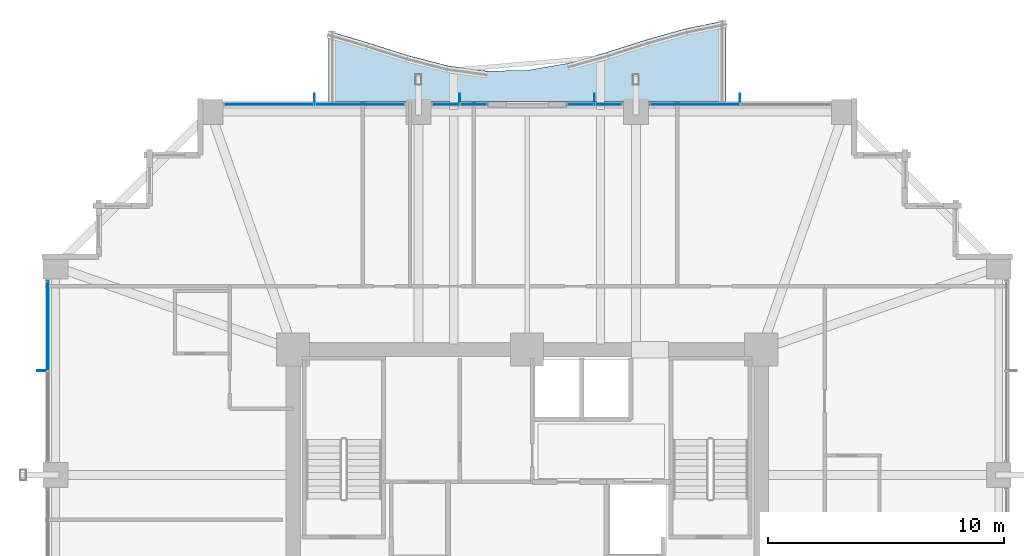
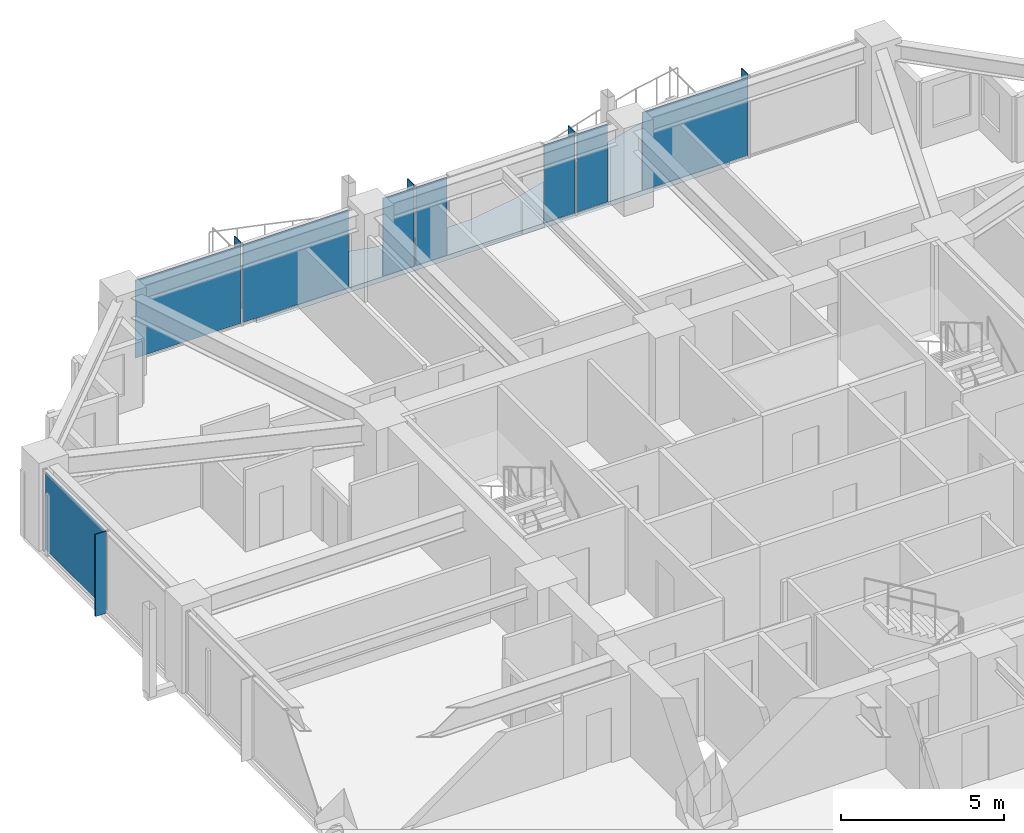
# One storey, part 30 of 38: 13 plates, 1 slab, 5 elements without a shape of their own.
"""IFC4 building model written with IfcOpenShell, lengths in metres."""

import ifcopenshell
import ifcopenshell.guid

model = None  # the IFC model being written
_history = None  # IfcOwnerHistory: only IFC2X3 demands one
_inside = {}  # id of a spatial element -> (the spatial element, [elements in it])
_under = {}  # id of a project, library or spatial element -> (it, [spatial elements below it])
_declared = {}  # id of a project -> (the project, [libraries it declares])
_typed = {}  # id of a type object -> (the type object, [elements of that type])
_made_of = {}  # id of a material, layer set ... -> (it, [elements and type objects made of it])


def new_model(schema):
    """Start an empty IFC model of exactly this schema.

    Asked for "IFC4X3", IfcOpenShell would pick the latest addendum, in which some entities
    have other attributes; the version numbers below select the first issue.
    IFC2X3 requires an IfcOwnerHistory on every rooted entity: one is made here for all.
    """
    global model, _history
    if schema == "IFC4X3":
        model = ifcopenshell.file(schema_version=(4, 3, 0, 0))
    else:
        model = ifcopenshell.file(schema=schema)
    _inside.clear()
    _under.clear()
    _declared.clear()
    _typed.clear()
    _made_of.clear()
    _history = None
    if model.schema == "IFC2X3":
        org = make("IfcOrganization", Name="unknown")
        user = make(
            "IfcPersonAndOrganization",
            ThePerson=make("IfcPerson", FamilyName="unknown"),
            TheOrganization=org,
        )
        app = make(
            "IfcApplication",
            ApplicationDeveloper=org,
            Version="unknown",
            ApplicationFullName="unknown",
            ApplicationIdentifier="unknown",
        )
        _history = make(
            "IfcOwnerHistory",
            OwningUser=user,
            OwningApplication=app,
            ChangeAction="ADDED",
            CreationDate=0,
        )
    return model


def make(cls, **values):
    """One entity of the class cls with the attributes given. An attribute that is None is left unset."""
    return model.create_entity(
        cls, **{name: value for name, value in values.items() if value is not None}
    )


def rooted(cls, **values):
    """An entity with a GlobalId (a new one), such as an element, a storey or a relation."""
    return make(cls, GlobalId=ifcopenshell.guid.new(), OwnerHistory=_history, **values)


def si_unit(unit_type, name, prefix=None):
    """IfcSIUnit, for example si_unit("LENGTHUNIT", "METRE", prefix="MILLI")."""
    return make("IfcSIUnit", UnitType=unit_type, Prefix=prefix, Name=name)


def assignment(units):
    """IfcUnitAssignment: the units of a project."""
    return None if units is None else make("IfcUnitAssignment", Units=units)


def point(xyz):
    """IfcCartesianPoint."""
    return None if xyz is None else make("IfcCartesianPoint", Coordinates=xyz)


def direction(xyz):
    """IfcDirection."""
    return None if xyz is None else make("IfcDirection", DirectionRatios=xyz)


def frame(location, z_axis=None, x_axis=None):
    """IfcAxis2Placement3D, a coordinate frame: its origin and axes. An axis left out is left unset."""
    return make(
        "IfcAxis2Placement3D",
        Location=point(location),
        Axis=direction(z_axis),
        RefDirection=direction(x_axis),
    )


def frame_2d(location, x_axis=None):
    """IfcAxis2Placement2D, a coordinate frame in the plane: its origin and x axis."""
    return make(
        "IfcAxis2Placement2D", Location=point(location), RefDirection=direction(x_axis)
    )


def origin():
    """The frame at (0, 0, 0) with its axes left unset."""
    return frame((0.0, 0.0, 0.0))


def origin_2d():
    """The frame at (0, 0) in the plane with its x axis left unset."""
    return frame_2d((0.0, 0.0))


def place(relative_to, where):
    """IfcLocalPlacement: puts the frame where relative to a parent placement (None: the world)."""
    return make(
        "IfcLocalPlacement", PlacementRelTo=relative_to, RelativePlacement=where
    )


def context(
    kind, dimensions, precision=None, world=None, true_north=None, identifier=None
):
    """IfcGeometricRepresentationContext, for example the 3D "Model" context."""
    return make(
        "IfcGeometricRepresentationContext",
        ContextIdentifier=identifier,
        ContextType=kind,
        CoordinateSpaceDimension=dimensions,
        Precision=precision,
        WorldCoordinateSystem=world,
        TrueNorth=true_north,
    )


def subcontext(parent, identifier, kind, view, scale=None):
    """IfcGeometricRepresentationSubContext, for example "Body" below "Model"."""
    return make(
        "IfcGeometricRepresentationSubContext",
        ContextIdentifier=identifier,
        ContextType=kind,
        ParentContext=parent,
        TargetScale=scale,
        TargetView=view,
    )


def project(units=None, contexts=None):
    """IfcProject with its units and contexts."""
    return rooted(
        "IfcProject",
        Name="project",
        RepresentationContexts=contexts,
        UnitsInContext=assignment(units),
    )


def spatial(cls, under=None, at=None, **own):
    """A site, building, storey or space (cls), placed at a placement, below another one or the project."""
    s = rooted(cls, ObjectPlacement=at, **own)
    if under is not None:
        _under.setdefault(under.id(), (under, []))[1].append(s)
    return s


def polyline(points):
    """IfcPolyline through the points."""
    return make("IfcPolyline", Points=[point(p) for p in points])


def profile(cls, at=None, kind="AREA", **sizes):
    """A parametric profile (cls). Its sizes go by their IFC names, for example OverallWidth=200.0."""
    return make(cls, ProfileType=kind, Position=at, **sizes)


def rectangle(**sizes):
    """IfcRectangleProfileDef."""
    return profile("IfcRectangleProfileDef", **sizes)


def outline(outer, holes=None, kind="AREA"):
    """IfcArbitraryClosedProfileDef: a profile drawn as a closed curve; with holes, ...WithVoids."""
    if holes is None:
        return make("IfcArbitraryClosedProfileDef", ProfileType=kind, OuterCurve=outer)
    return make(
        "IfcArbitraryProfileDefWithVoids",
        ProfileType=kind,
        OuterCurve=outer,
        InnerCurves=holes,
    )


def extrude(swept, where, along, depth):
    """IfcExtrudedAreaSolid: the profile swept, set in the frame where, extruded along a direction by depth."""
    return make(
        "IfcExtrudedAreaSolid",
        SweptArea=swept,
        Position=where,
        ExtrudedDirection=direction(along),
        Depth=depth,
    )


def shape(context_of_items, identifier, shape_type, items):
    """IfcShapeRepresentation: the items that make up one representation, for example the "Body"."""
    return make(
        "IfcShapeRepresentation",
        ContextOfItems=context_of_items,
        RepresentationIdentifier=identifier,
        RepresentationType=shape_type,
        Items=items,
    )


def material(Name=None, Category=None):
    """IfcMaterial."""
    return make("IfcMaterial", Name=Name, Category=Category)


def layer(
    of_material, thickness, ventilated=None, Name=None, Category=None, Priority=None
):
    """IfcMaterialLayer: one layer of a wall or slab, of a material (None: an air gap)."""
    return make(
        "IfcMaterialLayer",
        Material=of_material,
        LayerThickness=thickness,
        IsVentilated=ventilated,
        Name=Name,
        Category=Category,
        Priority=Priority,
    )


def layer_set(layers, Name=None):
    """IfcMaterialLayerSet."""
    return make("IfcMaterialLayerSet", MaterialLayers=layers, LayerSetName=Name)


def made_of(thing, what):
    """Note that an element or type object is made of a material, layer set ...; save() writes the relation."""
    if what is not None:
        _made_of.setdefault(what.id(), (what, []))[1].append(thing)
    return thing


def type_object(cls, material=None, **own):
    """A type object (cls), such as IfcWallType, which elements share."""
    return made_of(rooted(cls, **own), material)


def element(
    cls,
    number,
    at=None,
    inside=None,
    cuts=None,
    type_object=None,
    material=None,
    context=None,
    identifier="Body",
    shape_type=None,
    held_by="IfcProductDefinitionShape",
    body=None,
    shapes=None,
    **own,
):
    """One element of the class cls, such as IfcWall. Its Tag is "e" and its number.

    at: its placement. inside: the storey or other place that contains it. cuts: it is an
    opening in that element (IfcRelVoidsElement). A single representation is given by context,
    identifier, shape_type and body (its items); several are given by shapes. held_by: the class
    of the entity that holds the representations. save() writes the other relations.
    """
    e = rooted(cls, Tag="e%d" % number, ObjectPlacement=at, **own)
    if body is not None:
        shapes = [shape(context, identifier, shape_type, body)]
    if shapes is not None:
        e.Representation = make(held_by, Representations=shapes)
    if inside is not None:
        _inside.setdefault(inside.id(), (inside, []))[1].append(e)
    if cuts is not None:
        rooted(
            "IfcRelVoidsElement", RelatingBuildingElement=cuts, RelatedOpeningElement=e
        )
    if type_object is not None:
        _typed.setdefault(type_object.id(), (type_object, []))[1].append(e)
    return made_of(e, material)


def aggregate(whole, parts):
    """IfcRelAggregates: a whole, such as a stair, and the parts it consists of."""
    return rooted("IfcRelAggregates", RelatingObject=whole, RelatedObjects=parts)


def save(model, path):
    """Write the relations noted so far, then the file.

    IfcRelAggregates (storeys below a building ...), IfcRelContainedInSpatialStructure (elements
    in a storey), IfcRelDefinesByType, IfcRelAssociatesMaterial and IfcRelDeclares: one each for
    every whole, place, type object, material and project.
    """
    for whole, parts in _under.values():
        aggregate(whole, parts)
    for where, things in _inside.values():
        rooted(
            "IfcRelContainedInSpatialStructure",
            RelatedElements=things,
            RelatingStructure=where,
        )
    for kind, things in _typed.values():
        rooted("IfcRelDefinesByType", RelatedObjects=things, RelatingType=kind)
    for what, things in _made_of.values():
        rooted("IfcRelAssociatesMaterial", RelatedObjects=things, RelatingMaterial=what)
    for by, libraries in _declared.values():
        rooted("IfcRelDeclares", RelatingContext=by, RelatedDefinitions=libraries)
    model.write(path)


model = new_model("IFC4")

# Units and contexts
model_context = context("Model", 3, precision=1e-05, world=origin(), true_north=direction((0.0, 1.0)))
body_context = subcontext(model_context, "Body", "Model", "MODEL_VIEW")
ifc_project = project(units=[si_unit("LENGTHUNIT", "METRE"), si_unit("AREAUNIT", "SQUARE_METRE"), si_unit("VOLUMEUNIT", "CUBIC_METRE"), si_unit("PLANEANGLEUNIT", "RADIAN"), si_unit("MASSUNIT", "GRAM", prefix="KILO")], contexts=[model_context])

# Site, building, storey
site_placement = place(None, origin())
site = spatial("IfcSite", under=ifc_project, at=site_placement, CompositionType="ELEMENT")
building_placement = place(site_placement, origin())
building = spatial("IfcBuilding", under=site, at=building_placement, Name="Kolvaren Belvedere", CompositionType="ELEMENT")
storey_placement = place(building_placement, frame((0.0, 0.0, 78.800048828125)))
storey = spatial("IfcBuildingStorey", under=building, at=storey_placement, Name="L22", CompositionType="ELEMENT", Elevation=78.800048828125)

# Curtain wall, plates
ifc_material_1 = material(Name="Anodised pale-metal aluminium AA 6063-T6", Category="aluminium")
curtain_wall_type = type_object("IfcCurtainWallType", Name="CW-Z2-MID", PredefinedType="NOTDEFINED", material=ifc_material_1)
curtain_wall_1_placement = place(storey_placement, origin())
curtain_wall_1 = element("IfcCurtainWall", 1, at=curtain_wall_1_placement, inside=storey, type_object=curtain_wall_type, Name="L22 Unitised Curtain Wall FCW-L22-N1-B1", PredefinedType="NOTDEFINED")
ifc_material_2 = material(Name="Low-iron triple insulated glass", Category="glass")
ifc_layer_1 = layer(ifc_material_2, 0.028076171875)
ifc_layer_set_1 = layer_set([ifc_layer_1], Name="Low-iron triple insulated glass")
plate_type_1 = type_object("IfcPlateType", Name="CW-PNL-VIS28", PredefinedType="CURTAIN_PANEL", material=ifc_layer_set_1)
plate_1_placement = place(storey_placement, frame((-10.9111328125, 20.280029296875, 0.080078125), z_axis=(0.0, 0.0, 1.0), x_axis=(1.0, 0.0, 0.0)))
plate_1 = element("IfcPlate", 2, at=plate_1_placement, type_object=plate_type_1, Name="FCW-L22-N1-B1 Vision Glazing Panel 1", PredefinedType="CURTAIN_PANEL", context=body_context, shape_type="SweptSolid", body=[
    extrude(rectangle(XDim=3.742431640625, YDim=0.028076171875, at=origin_2d()), origin(), (0.0, 0.0, 1.0), 2.919921875),
])
plate_2_placement = place(storey_placement, frame((-7.0888671875, 20.280029296875, 0.080078125), z_axis=(0.0, 0.0, 1.0), x_axis=(1.0, 0.0, 0.0)))
plate_2 = element("IfcPlate", 3, at=plate_2_placement, type_object=plate_type_1, Name="FCW-L22-N1-B1 Vision Glazing Panel 2", PredefinedType="CURTAIN_PANEL", context=body_context, shape_type="SweptSolid", body=[
    extrude(rectangle(XDim=3.742431640625, YDim=0.028076171875, at=origin_2d()), origin(), (0.0, 0.0, 1.0), 2.919921875),
])
aggregate(curtain_wall_1, [plate_1, plate_2])

curtain_wall_2_placement = place(storey_placement, origin())
curtain_wall_2 = element("IfcCurtainWall", 4, at=curtain_wall_2_placement, inside=storey, type_object=curtain_wall_type, Name="L22 Unitised Curtain Wall FCW-L22-N1-B2", PredefinedType="NOTDEFINED")
plate_3_placement = place(storey_placement, frame((-3.43701171875, 20.280029296875, 0.080078125), z_axis=(0.0, 0.0, 1.0), x_axis=(1.0, 0.0, 0.0)))
plate_3 = element("IfcPlate", 5, at=plate_3_placement, type_object=plate_type_1, Name="FCW-L22-N1-B2 Vision Glazing Panel 1", PredefinedType="CURTAIN_PANEL", context=body_context, shape_type="SweptSolid", body=[
    extrude(rectangle(XDim=1.09130859375, YDim=0.028076171875, at=origin_2d()), origin(), (0.0, 0.0, 1.0), 2.919921875),
])
plate_4_placement = place(storey_placement, frame((-2.265625, 20.280029296875, 0.080078125), z_axis=(0.0, 0.0, 1.0), x_axis=(1.0, 0.0, 0.0)))
plate_4 = element("IfcPlate", 6, at=plate_4_placement, type_object=plate_type_1, Name="FCW-L22-N1-B2 Vision Glazing Panel 2", PredefinedType="CURTAIN_PANEL", context=body_context, shape_type="SweptSolid", body=[
    extrude(rectangle(XDim=1.09130859375, YDim=0.028076171875, at=origin_2d()), origin(), (0.0, 0.0, 1.0), 2.919921875),
])
aggregate(curtain_wall_2, [plate_3, plate_4])

curtain_wall_3_placement = place(storey_placement, origin())
curtain_wall_3 = element("IfcCurtainWall", 7, at=curtain_wall_3_placement, inside=storey, type_object=curtain_wall_type, Name="L22 Unitised Curtain Wall FCW-L22-N2-B1", PredefinedType="NOTDEFINED")
plate_5_placement = place(storey_placement, frame((2.265625, 20.280029296875, 0.080078125), z_axis=(0.0, 0.0, 1.0), x_axis=(1.0, 0.0, 0.0)))
plate_5 = element("IfcPlate", 8, at=plate_5_placement, type_object=plate_type_1, Name="FCW-L22-N2-B1 Vision Glazing Panel 1", PredefinedType="CURTAIN_PANEL", context=body_context, shape_type="SweptSolid", body=[
    extrude(rectangle(XDim=1.09130859375, YDim=0.028076171875, at=origin_2d()), origin(), (0.0, 0.0, 1.0), 2.919921875),
])
plate_6_placement = place(storey_placement, frame((3.43701171875, 20.280029296875, 0.080078125), z_axis=(0.0, 0.0, 1.0), x_axis=(1.0, 0.0, 0.0)))
plate_6 = element("IfcPlate", 9, at=plate_6_placement, type_object=plate_type_1, Name="FCW-L22-N2-B1 Vision Glazing Panel 2", PredefinedType="CURTAIN_PANEL", context=body_context, shape_type="SweptSolid", body=[
    extrude(rectangle(XDim=1.09130859375, YDim=0.028076171875, at=origin_2d()), origin(), (0.0, 0.0, 1.0), 2.919921875),
])
aggregate(curtain_wall_3, [plate_5, plate_6])

# Curtain wall, plate
curtain_wall_4_placement = place(storey_placement, origin())
curtain_wall_4 = element("IfcCurtainWall", 10, at=curtain_wall_4_placement, inside=storey, type_object=curtain_wall_type, Name="L22 Unitised Curtain Wall FCW-L22-N2-B2", PredefinedType="NOTDEFINED")
plate_7_placement = place(storey_placement, frame((7.0888671875, 20.280029296875, 0.080078125), z_axis=(0.0, 0.0, 1.0), x_axis=(1.0, 0.0, 0.0)))
plate_7 = element("IfcPlate", 11, at=plate_7_placement, type_object=plate_type_1, Name="FCW-L22-N2-B2 Vision Glazing Panel 1", PredefinedType="CURTAIN_PANEL", context=body_context, shape_type="SweptSolid", body=[
    extrude(rectangle(XDim=3.742431640625, YDim=0.028076171875, at=origin_2d()), origin(), (0.0, 0.0, 1.0), 2.919921875),
])
aggregate(curtain_wall_4, [plate_7])

curtain_wall_5_placement = place(storey_placement, origin())
curtain_wall_5 = element("IfcCurtainWall", 12, at=curtain_wall_5_placement, inside=storey, type_object=curtain_wall_type, Name="L22 Unitised Curtain Wall FCW-L22-W-B3", PredefinedType="NOTDEFINED")
plate_8_placement = place(storey_placement, frame((-20.280029296875, 10.9111328125, 0.080078125), z_axis=(0.0, 0.0, 1.0), x_axis=(0.0, 1.0, 0.0)))
plate_8 = element("IfcPlate", 13, at=plate_8_placement, type_object=plate_type_1, Name="FCW-L22-W-B3 Vision Glazing Panel 2", PredefinedType="CURTAIN_PANEL", context=body_context, shape_type="SweptSolid", body=[
    extrude(rectangle(XDim=3.742431640625, YDim=0.028076171875, at=origin_2d()), origin(), (0.0, 0.0, 1.0), 2.919921875),
])
aggregate(curtain_wall_5, [plate_8])

# Plates
ifc_material_3 = material(Name="Anodised pale-metal aluminium AA 6063-T6", Category="aluminium")
ifc_layer_2 = layer(ifc_material_3, 0.033935546875)
ifc_layer_set_2 = layer_set([ifc_layer_2], Name="Anodised pale-metal aluminium AA 6063-T6")
plate_type_2 = type_object("IfcPlateType", Name="FIN-VERT-380", PredefinedType="USERDEFINED", material=ifc_layer_set_2)
for number, where, z_axis, x_axis, name in (
    (14, (-9.0, 20.52490234375, 0.0), (0.0, 0.0, 1.0), (0.0, 1.0, 0.0), "L22 Pale-Metal Vertical Shading Fin FCW-L22-N1-B1-1"),
    (15, (-2.851318359375, 20.52490234375, 0.0), (0.0, 0.0, 1.0), (0.0, 1.0, 0.0), "L22 Pale-Metal Vertical Shading Fin FCW-L22-N1-B2-1"),
    (16, (2.851318359375, 20.52490234375, 0.0), (0.0, 0.0, 1.0), (0.0, 1.0, 0.0), "L22 Pale-Metal Vertical Shading Fin FCW-L22-N2-B1-1"),
    (17, (9.0, 20.52490234375, 0.0), (0.0, 0.0, 1.0), (0.0, 1.0, 0.0), "L22 Pale-Metal Vertical Shading Fin FCW-L22-N2-B2-1"),
    (18, (-20.52490234375, 9.0, 0.0), (0.0, 0.0, 1.0), (1.0, 0.0, 0.0), "L22 Pale-Metal Vertical Shading Fin FCW-L22-W-B3-1"),
):
    element("IfcPlate", number, at=place(storey_placement, frame(where, z_axis=z_axis, x_axis=x_axis)), inside=storey, type_object=plate_type_2, Name=name, ObjectType="VERTICAL FIN", PredefinedType="USERDEFINED", context=body_context, shape_type="SweptSolid", body=[
        extrude(rectangle(XDim=0.3798828125, YDim=0.033935546875, at=origin_2d()), origin(), (0.0, 0.0, 1.0), 3.080078125),
    ])

# Slab
ifc_material_4 = material(Name="Concrete C50/60", Category="concrete")
ifc_layer_3 = layer(ifc_material_4, 0.179931640625)
ifc_layer_set_3 = layer_set([ifc_layer_3], Name="Concrete C50/60")
slab_type = type_object("IfcSlabType", Name="SL-BAL-180", PredefinedType="FLOOR", material=ifc_layer_set_3)
slab_placement = place(storey_placement, frame((0.0, 0.0, -0.219970703125)))
element("IfcSlab", 19, at=slab_placement, inside=storey, type_object=slab_type, Name="L22 Planted Balcony BAL-N", PredefinedType="FLOOR", context=body_context, shape_type="SweptSolid", body=[
    extrude(outline(polyline([(-8.39990234375, 20.39990234375), (-6.719970703125, 20.39990234375), (-5.0400390625, 20.39990234375), (-3.360107421875, 20.39990234375), (-1.679931640625, 20.39990234375), (0.0, 20.39990234375), (1.679931640625, 20.39990234375), (3.360107421875, 20.39990234375), (5.0400390625, 20.39990234375), (6.719970703125, 20.39990234375), (8.39990234375, 20.39990234375), (8.39990234375, 23.820068359375), (6.719970703125, 23.479248046875), (5.0400390625, 23.008544921875), (3.360107421875, 22.471435546875), (1.679931640625, 22.000732421875), (0.0, 21.712890625), (-1.679931640625, 21.67919921875), (-3.360107421875, 21.90771484375), (-5.0400390625, 22.34228515625), (-6.719970703125, 22.87548828125), (-8.39990234375, 23.374755859375), (-8.39990234375, 20.39990234375)])), origin(), (0.0, 0.0, 1.0), 0.179931640625),
])

save(model, "model.ifc")
